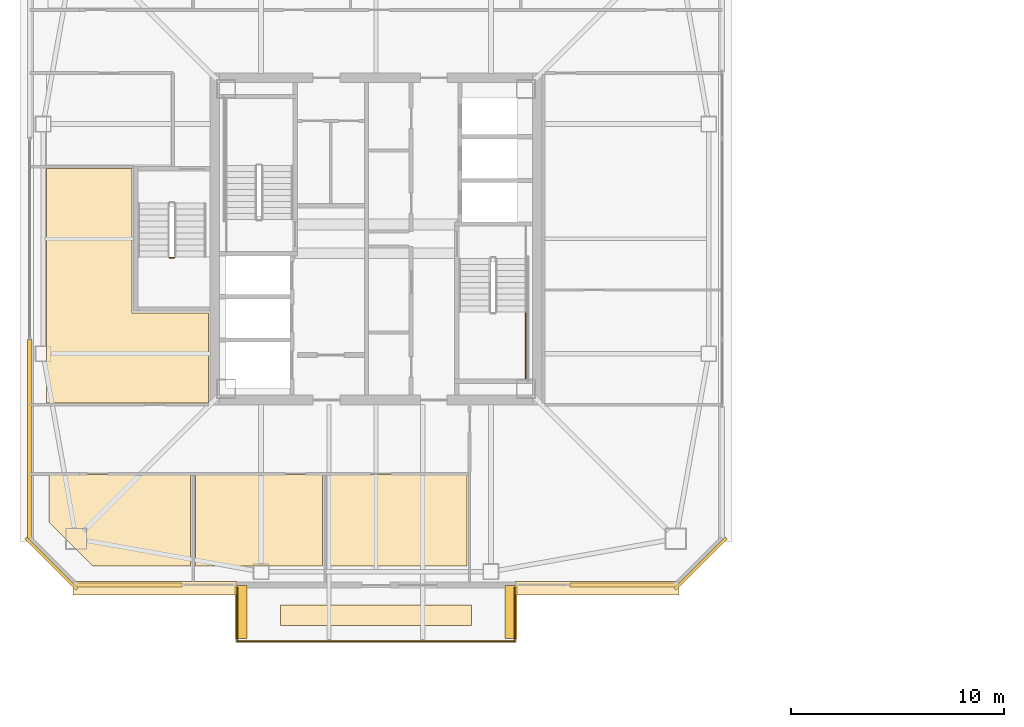
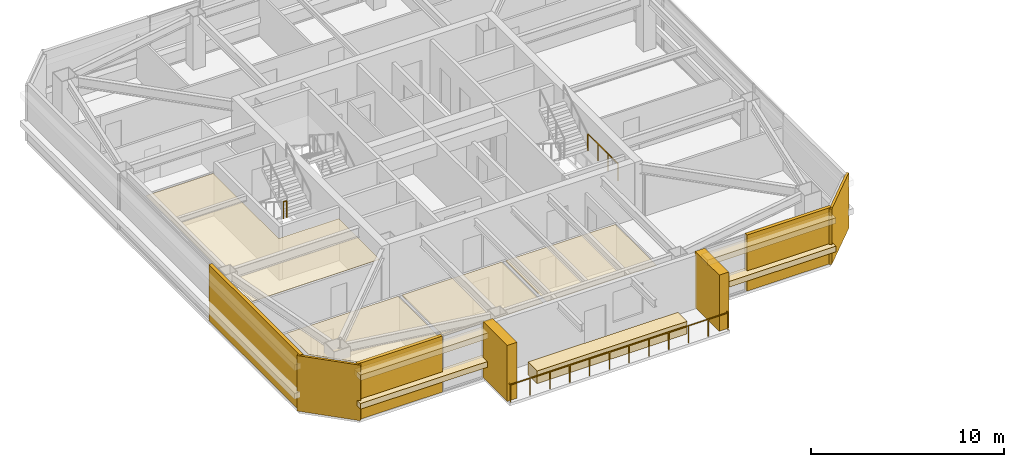
# One storey, part 34 of 39: 16 coverings, 5 railings.
"""IFC4 building model written with IfcOpenShell, lengths in metres."""

from ifc_helpers import new_model, si_unit, direction, frame, origin, origin_2d, place, context, subcontext, project, spatial, polyline, rectangle, outline, extrude, material, layer, layer_set, type_object, element, save


model = new_model("IFC4")

# Units and contexts
model_context = context("Model", 3, precision=1e-05, world=origin(), true_north=direction((0.0, 1.0)))
body_context = subcontext(model_context, "Body", "Model", "MODEL_VIEW")
ifc_project = project(units=[si_unit("LENGTHUNIT", "METRE"), si_unit("AREAUNIT", "SQUARE_METRE"), si_unit("VOLUMEUNIT", "CUBIC_METRE"), si_unit("PLANEANGLEUNIT", "RADIAN"), si_unit("MASSUNIT", "GRAM", prefix="KILO")], contexts=[model_context])

# Site, building, storey
site_placement = place(None, origin())
site = spatial("IfcSite", under=ifc_project, at=site_placement, CompositionType="ELEMENT")
building_placement = place(site_placement, origin())
building = spatial("IfcBuilding", under=site, at=building_placement, Name="Tashvorn Skyway Center", CompositionType="ELEMENT")
storey_placement = place(building_placement, frame((0.0, 0.0, 225.5)))
storey = spatial("IfcBuildingStorey", under=building, at=storey_placement, Name="L61", CompositionType="ELEMENT", Elevation=225.5)

# Coverings
ifc_material_1 = material(Name="Precast concrete C40/50", Category="concrete")
ifc_layer_1 = layer(ifc_material_1, 0.199951171875)
ifc_layer_set_1 = layer_set([ifc_layer_1], Name="Precast concrete C40/50")
covering_type_1 = type_object("IfcCoveringType", Name="COV-BRACE-CLAD", PredefinedType="CLADDING", material=ifc_layer_set_1)
for number, where, z_axis, x_axis, name in (
    (1, (53.6533203125, 15.719970703125, 0.0), (0.0, 0.0, 1.0), (-1.0, 0.0, 0.0), "Tower 1 L61 South Curtain Wall L Mega-Brace Cladding Band 1"),
    (2, (30.3466796875, 15.719970703125, 0.0), (0.0, 0.0, 1.0), (-1.0, 0.0, 0.0), "Tower 1 L61 South Curtain Wall R Mega-Brace Cladding Band 1"),
):
    element("IfcCovering", number, at=place(storey_placement, frame(where, z_axis=z_axis, x_axis=x_axis)), inside=storey, type_object=covering_type_1, Name=name, PredefinedType="CLADDING", context=body_context, shape_type="SweptSolid", body=[
        extrude(rectangle(XDim=5.05322265625, YDim=0.199951171875, at=origin_2d()), origin(), (0.0, 0.0, 1.0), 3.550048828125),
    ])
covering_1_placement = place(storey_placement, frame((25.719970703125, 22.546630859375, 0.0), z_axis=(0.0, 0.0, 1.0), x_axis=(0.0, 1.0, 0.0)))
element("IfcCovering", 3, at=covering_1_placement, inside=storey, type_object=covering_type_1, Name="Tower 1 L61 West Unitised Curtain Wall Mega-Brace Cladding Band 1", PredefinedType="CLADDING", context=body_context, shape_type="SweptSolid", body=[
    extrude(rectangle(XDim=9.453369140625, YDim=0.199951171875, at=origin_2d()), origin(), (0.0, 0.0, 1.0), 3.550048828125),
])
ifc_material_2 = material(Name="Mineral-fibre acoustic ceiling tile on suspended grid")
ifc_layer_2 = layer(ifc_material_2, 0.02001953125)
ifc_layer_set_2 = layer_set([ifc_layer_2], Name="Mineral-fibre acoustic ceiling tile on suspended grid")
covering_type_2 = type_object("IfcCoveringType", Name="COV-CEIL-20", PredefinedType="CEILING", material=ifc_layer_set_2)
covering_2_placement = place(storey_placement, frame((0.0, 0.0, 2.702880859375)))
element("IfcCovering", 4, at=covering_2_placement, inside=storey, type_object=covering_type_2, Name="Tower 1 L61 Conference Room Acoustic Ceiling", PredefinedType="CEILING", context=body_context, shape_type="SweptSolid", body=[
    extrude(outline(polyline([(26.6201171875, 20.909912109375), (33.280029296875, 20.909912109375), (33.280029296875, 16.6201171875), (28.679931640625, 16.6201171875), (26.6201171875, 18.679931640625), (26.6201171875, 20.909912109375)])), origin(), (0.0, 0.0, 1.0), 0.02001953125),
])
covering_3_placement = place(storey_placement, frame((0.0, 0.0, 2.702880859375)))
element("IfcCovering", 5, at=covering_3_placement, inside=storey, type_object=covering_type_2, Name="Tower 1 L61 Staff Fitness Club Acoustic Ceiling", PredefinedType="CEILING", context=body_context, shape_type="SweptSolid", body=[
    extrude(outline(polyline([(33.52001953125, 20.909912109375), (39.47998046875, 20.909912109375), (39.47998046875, 16.6201171875), (33.52001953125, 16.6201171875), (33.52001953125, 20.909912109375)])), origin(), (0.0, 0.0, 1.0), 0.02001953125),
])
covering_4_placement = place(storey_placement, frame((0.0, 0.0, 2.702880859375)))
element("IfcCovering", 6, at=covering_4_placement, inside=storey, type_object=covering_type_2, Name="Tower 1 L61 Staff Fitness Club Acoustic Ceiling", PredefinedType="CEILING", context=body_context, shape_type="SweptSolid", body=[
    extrude(outline(polyline([(39.719970703125, 20.909912109375), (46.280029296875, 20.909912109375), (46.280029296875, 16.6201171875), (39.719970703125, 16.6201171875), (39.719970703125, 20.909912109375)])), origin(), (0.0, 0.0, 1.0), 0.02001953125),
])
covering_5_placement = place(storey_placement, frame((0.0, 0.0, 2.702880859375)))
element("IfcCovering", 7, at=covering_5_placement, inside=storey, type_object=covering_type_2, Name="Tower 1 L61 Public Restroom Acoustic Ceiling", PredefinedType="CEILING", context=body_context, shape_type="SweptSolid", body=[
    extrude(outline(polyline([(34.1201171875, 24.280029296875), (26.5, 24.280029296875), (26.5, 28.52001953125), (26.5, 35.320068359375), (30.52001953125, 35.320068359375), (30.52001953125, 28.52001953125), (34.1201171875, 28.52001953125), (34.1201171875, 24.280029296875)])), origin(), (0.0, 0.0, 1.0), 0.02001953125),
])
ifc_material_3 = material(Name="Perforated ceramic-coated bronze aluminium solar screen", Category="aluminium")
ifc_layer_3 = layer(ifc_material_3, 0.85009765625)
ifc_layer_set_3 = layer_set([ifc_layer_3], Name="Perforated ceramic-coated bronze aluminium solar screen")
covering_type_3 = type_object("IfcCoveringType", Name="COV-SOLAR-BAND", PredefinedType="CLADDING", material=ifc_layer_set_3)
for number, where, z_axis, x_axis, name in (
    (8, (52.389892578125, 15.580078125, 0.919921875), (0.0, 0.0, 1.0), (-1.0, 0.0, 0.0), "L61 Perforated Ceramic-Metal Solar Screen Louvre Band South 1"),
    (9, (52.389892578125, 15.580078125, 2.7197265625), (0.0, 0.0, 1.0), (-1.0, 0.0, 0.0), "L61 Perforated Ceramic-Metal Solar Screen Louvre Band South 2"),
    (10, (31.610107421875, 15.580078125, 0.919921875), (0.0, 0.0, 1.0), (-1.0, 0.0, 0.0), "L61 Perforated Ceramic-Metal Solar Screen Louvre Band South 1"),
    (11, (31.610107421875, 15.580078125, 2.7197265625), (0.0, 0.0, 1.0), (-1.0, 0.0, 0.0), "L61 Perforated Ceramic-Metal Solar Screen Louvre Band South 2"),
):
    element("IfcCovering", number, at=place(storey_placement, frame(where, z_axis=z_axis, x_axis=x_axis)), inside=storey, type_object=covering_type_3, Name=name, PredefinedType="CLADDING", context=body_context, shape_type="SweptSolid", body=[
        extrude(rectangle(XDim=7.699951171875, YDim=0.639892578125, at=origin_2d()), origin(), (0.0, 0.0, 1.0), 0.360107421875),
    ])
ifc_layer_4 = layer(ifc_material_1, 0.35009765625)
ifc_layer_set_4 = layer_set([ifc_layer_4], Name="Precast concrete C40/50")
covering_type_4 = type_object("IfcCoveringType", Name="COV-STONE-TRIM", PredefinedType="CLADDING", material=ifc_layer_set_4)
for number, where, z_axis, x_axis, name in (
    (12, (48.35009765625, 14.449951171875, 0.0), (0.0, 0.0, 1.0), (-1.0, 0.0, 0.0), "Tower 1 L61 Sky Garden Loggia Pier L"),
    (13, (35.64990234375, 14.449951171875, 0.0), (0.0, 0.0, 1.0), (-1.0, 0.0, 0.0), "Tower 1 L61 Sky Garden Loggia Pier R"),
):
    element("IfcCovering", number, at=place(storey_placement, frame(where, z_axis=z_axis, x_axis=x_axis)), inside=storey, type_object=covering_type_4, Name=name, PredefinedType="CLADDING", context=body_context, shape_type="SweptSolid", body=[
        extrude(rectangle(XDim=0.580078125, YDim=2.5, at=origin_2d()), origin(), (0.0, 0.0, 1.0), 3.550048828125),
    ])
covering_6_placement = place(storey_placement, frame((42.0, 14.300048828125, 0.0), z_axis=(0.0, 0.0, 1.0), x_axis=(-1.0, 0.0, 0.0)))
element("IfcCovering", 14, at=covering_6_placement, inside=storey, type_object=covering_type_4, Name="Tower 1 L61 Sky Garden Stone Planter Bed", PredefinedType="CLADDING", context=body_context, shape_type="SweptSolid", body=[
    extrude(rectangle(XDim=8.97607421875, YDim=0.949951171875, at=origin_2d()), origin(), (0.0, 0.0, 1.0), 0.800048828125),
])
for number, where, z_axis, x_axis, name in (
    (15, (26.72998046875, 16.72998046875, 0.02001953125), (0.0, 0.0, 1.0), (-0.707106781187, 0.707106781187, 0.0), "Tower 1 L61 SW Mojave Limestone Corner Quoin"),
    (16, (57.27001953125, 16.72998046875, 0.02001953125), (0.0, 0.0, 1.0), (0.707106781187, 0.707106781187, 0.0), "Tower 1 L61 SE Mojave Limestone Corner Quoin"),
):
    element("IfcCovering", number, at=place(storey_placement, frame(where, z_axis=z_axis, x_axis=x_axis)), inside=storey, type_object=covering_type_4, Name=name, PredefinedType="CLADDING", context=body_context, shape_type="SweptSolid", body=[
        extrude(rectangle(XDim=3.41259765625, YDim=0.139892578125, at=origin_2d()), origin(), (0.0, 0.0, 1.0), 3.510009765625),
    ])

# Railings
ifc_material_4 = material(Name="Galvanized steel S355", Category="steel")
railing_type_1 = type_object("IfcRailingType", Name="RAIL-GUARD-1120", PredefinedType="GUARDRAIL", material=ifc_material_4)
railing_1_placement = place(storey_placement, frame((35.47998046875, 15.60009765625, 0.0)))
element("IfcRailing", 17, at=railing_1_placement, inside=storey, type_object=railing_type_1, Name="L61 Tower 1 Terrace Guardrail 01", PredefinedType="GUARDRAIL", context=body_context, shape_type="SweptSolid", body=[
    extrude(rectangle(XDim=0.048095703125, YDim=0.048095703125, at=origin_2d()), frame((0.0, 0.0, 1.09619140625), z_axis=(0.0, -1.0, 0.0), x_axis=(1.0, 0.0, 0.0)), (0.0, 0.0, 1.0), 2.52001953125),
    extrude(rectangle(XDim=0.0419921875, YDim=0.0419921875, at=origin_2d()), origin(), (0.0, 0.0, 1.0), 1.072021484375),
    extrude(rectangle(XDim=0.0419921875, YDim=0.0419921875, at=origin_2d()), frame((0.0, -0.840087890625, 0.0)), (0.0, 0.0, 1.0), 1.072021484375),
    extrude(rectangle(XDim=0.0419921875, YDim=0.0419921875, at=origin_2d()), frame((0.0, -1.679931640625, 0.0)), (0.0, 0.0, 1.0), 1.072021484375),
    extrude(rectangle(XDim=0.0419921875, YDim=0.0419921875, at=origin_2d()), frame((0.0, -2.52001953125, 0.0)), (0.0, 0.0, 1.0), 1.072021484375),
])
railing_2_placement = place(storey_placement, frame((35.47998046875, 13.080078125, 0.0)))
element("IfcRailing", 18, at=railing_2_placement, inside=storey, type_object=railing_type_1, Name="L61 Tower 1 Terrace Guardrail 02", PredefinedType="GUARDRAIL", context=body_context, shape_type="SweptSolid", body=[
    extrude(rectangle(XDim=0.048095703125, YDim=0.048095703125, at=origin_2d()), frame((0.0, 0.0, 1.09619140625), z_axis=(1.0, 0.0, 0.0), x_axis=(0.0, 1.0, 0.0)), (0.0, 0.0, 1.0), 13.0400390625),
    extrude(rectangle(XDim=0.0419921875, YDim=0.0419921875, at=origin_2d()), origin(), (0.0, 0.0, 1.0), 1.072021484375),
    extrude(rectangle(XDim=0.0419921875, YDim=0.0419921875, at=origin_2d()), frame((1.185546875, 0.0, 0.0)), (0.0, 0.0, 1.0), 1.072021484375),
    extrude(rectangle(XDim=0.0419921875, YDim=0.0419921875, at=origin_2d()), frame((2.370849609375, 0.0, 0.0)), (0.0, 0.0, 1.0), 1.072021484375),
    extrude(rectangle(XDim=0.0419921875, YDim=0.0419921875, at=origin_2d()), frame((3.556396484375, 0.0, 0.0)), (0.0, 0.0, 1.0), 1.072021484375),
    extrude(rectangle(XDim=0.0419921875, YDim=0.0419921875, at=origin_2d()), frame((4.741943359375, 0.0, 0.0)), (0.0, 0.0, 1.0), 1.072021484375),
    extrude(rectangle(XDim=0.0419921875, YDim=0.0419921875, at=origin_2d()), frame((5.92724609375, 0.0, 0.0)), (0.0, 0.0, 1.0), 1.072021484375),
    extrude(rectangle(XDim=0.0419921875, YDim=0.0419921875, at=origin_2d()), frame((7.11279296875, 0.0, 0.0)), (0.0, 0.0, 1.0), 1.072021484375),
    extrude(rectangle(XDim=0.0419921875, YDim=0.0419921875, at=origin_2d()), frame((8.298095703125, 0.0, 0.0)), (0.0, 0.0, 1.0), 1.072021484375),
    extrude(rectangle(XDim=0.0419921875, YDim=0.0419921875, at=origin_2d()), frame((9.483642578125, 0.0, 0.0)), (0.0, 0.0, 1.0), 1.072021484375),
    extrude(rectangle(XDim=0.0419921875, YDim=0.0419921875, at=origin_2d()), frame((10.669189453125, 0.0, 0.0)), (0.0, 0.0, 1.0), 1.072021484375),
    extrude(rectangle(XDim=0.0419921875, YDim=0.0419921875, at=origin_2d()), frame((11.8544921875, 0.0, 0.0)), (0.0, 0.0, 1.0), 1.072021484375),
    extrude(rectangle(XDim=0.0419921875, YDim=0.0419921875, at=origin_2d()), frame((13.0400390625, 0.0, 0.0)), (0.0, 0.0, 1.0), 1.072021484375),
])
railing_3_placement = place(storey_placement, frame((48.52001953125, 13.080078125, 0.0)))
element("IfcRailing", 19, at=railing_3_placement, inside=storey, type_object=railing_type_1, Name="L61 Tower 1 Terrace Guardrail 03", PredefinedType="GUARDRAIL", context=body_context, shape_type="SweptSolid", body=[
    extrude(rectangle(XDim=0.048095703125, YDim=0.048095703125, at=origin_2d()), frame((0.0, 0.0, 1.09619140625), z_axis=(0.0, 1.0, 0.0), x_axis=(-1.0, 0.0, 0.0)), (0.0, 0.0, 1.0), 2.52001953125),
    extrude(rectangle(XDim=0.0419921875, YDim=0.0419921875, at=origin_2d()), origin(), (0.0, 0.0, 1.0), 1.072021484375),
    extrude(rectangle(XDim=0.0419921875, YDim=0.0419921875, at=origin_2d()), frame((0.0, 0.840087890625, 0.0)), (0.0, 0.0, 1.0), 1.072021484375),
    extrude(rectangle(XDim=0.0419921875, YDim=0.0419921875, at=origin_2d()), frame((0.0, 1.679931640625, 0.0)), (0.0, 0.0, 1.0), 1.072021484375),
    extrude(rectangle(XDim=0.0419921875, YDim=0.0419921875, at=origin_2d()), frame((0.0, 2.52001953125, 0.0)), (0.0, 0.0, 1.0), 1.072021484375),
])
ifc_material_5 = material(Name="Painted galvanized steel S355", Category="steel")
railing_type_2 = type_object("IfcRailingType", Name="RAIL-STGUARD-1100", PredefinedType="GUARDRAIL", material=ifc_material_5)
railing_4_placement = place(storey_placement, frame((49.050048828125, 28.56005859375, 1.77490234375)))
element("IfcRailing", 20, at=railing_4_placement, inside=storey, type_object=railing_type_2, Name="L61 ST-T1-2 stair guard 3", PredefinedType="GUARDRAIL", context=body_context, shape_type="SweptSolid", body=[
    extrude(rectangle(XDim=0.048095703125, YDim=0.048095703125, at=origin_2d()), frame((0.0, 0.0, 1.076171875), z_axis=(0.0, -1.0, 0.0), x_axis=(1.0, 0.0, 0.0)), (0.0, 0.0, 1.0), 3.16015625),
    extrude(rectangle(XDim=0.0419921875, YDim=0.0419921875, at=origin_2d()), origin(), (0.0, 0.0, 1.0), 1.052001953125),
    extrude(rectangle(XDim=0.0419921875, YDim=0.0419921875, at=origin_2d()), frame((0.0, -1.053466796875, 0.0)), (0.0, 0.0, 1.0), 1.052001953125),
    extrude(rectangle(XDim=0.0419921875, YDim=0.0419921875, at=origin_2d()), frame((0.0, -2.106689453125, 0.0)), (0.0, 0.0, 1.0), 1.052001953125),
    extrude(rectangle(XDim=0.0419921875, YDim=0.0419921875, at=origin_2d()), frame((0.0, -3.16015625, 0.0)), (0.0, 0.0, 1.0), 1.052001953125),
])
railing_5_placement = place(storey_placement, frame((32.300048828125, 31.110107421875, 1.77490234375)))
element("IfcRailing", 21, at=railing_5_placement, inside=storey, type_object=railing_type_2, Name="L61 ST-T1-3 stair guard 2", PredefinedType="GUARDRAIL", context=body_context, shape_type="SweptSolid", body=[
    extrude(rectangle(XDim=0.048095703125, YDim=0.048095703125, at=origin_2d()), frame((0.0, 0.0, 1.076171875), z_axis=(1.0, 0.0, 0.0), x_axis=(0.0, 1.0, 0.0)), (0.0, 0.0, 1.0), 0.199951171875),
    extrude(rectangle(XDim=0.0419921875, YDim=0.0419921875, at=origin_2d()), origin(), (0.0, 0.0, 1.0), 1.052001953125),
    extrude(rectangle(XDim=0.0419921875, YDim=0.0419921875, at=origin_2d()), frame((0.199951171875, 0.0, 0.0)), (0.0, 0.0, 1.0), 1.052001953125),
])

save(model, "model.ifc")
